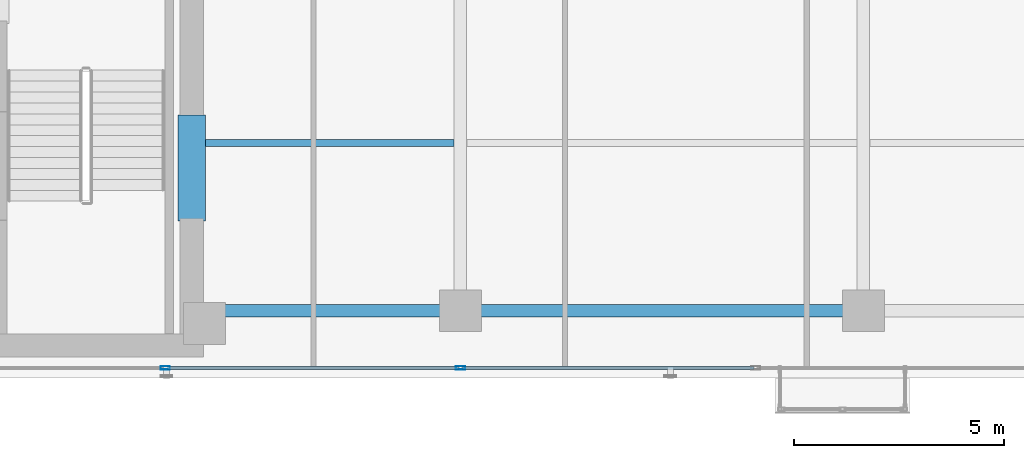
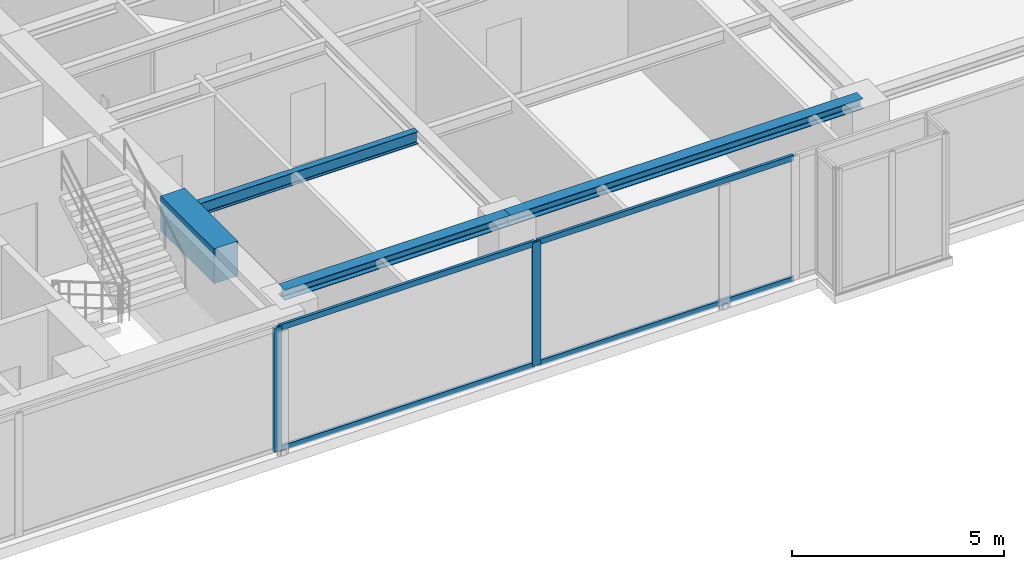
# One storey, part 4 of 25: 6 members, 4 beams, 1 element without a shape of its own.
"""IFC4 building model written with IfcOpenShell, lengths in metres."""

from ifc_helpers import new_model, si_unit, direction, frame, origin, origin_with_axes, origin_2d, place, context, subcontext, project, spatial, rectangle, hollow_rectangle, i_section, extrude, source, transform, mapped, material, layer, layer_set, material_profile, profile_set, type_object, element, aggregate, save


model = new_model("IFC4")

# Units and contexts
model_context = context("Model", 3, precision=1e-05, world=origin(), true_north=direction((0.0, 1.0)))
body_context = subcontext(model_context, "Body", "Model", "MODEL_VIEW")
ifc_project = project(units=[si_unit("LENGTHUNIT", "METRE"), si_unit("AREAUNIT", "SQUARE_METRE"), si_unit("VOLUMEUNIT", "CUBIC_METRE"), si_unit("PLANEANGLEUNIT", "RADIAN"), si_unit("MASSUNIT", "GRAM", prefix="KILO")], contexts=[model_context])

# Site, building, storey
site_placement = place(None, origin())
site = spatial("IfcSite", under=ifc_project, at=site_placement, CompositionType="ELEMENT")
building_placement = place(site_placement, origin())
building = spatial("IfcBuilding", under=site, at=building_placement, Name="Kolvaren Waterfront Exchange", CompositionType="ELEMENT")
storey_placement = place(building_placement, frame((0.0, 0.0, 223.5)))
storey = spatial("IfcBuildingStorey", under=building, at=storey_placement, Name="L57", CompositionType="ELEMENT", Elevation=223.5)

# Beams
ifc_material_1 = material(Name="Steel S355", Category="steel")
ifc_material_profile_1 = material_profile(ifc_material_1, i_section(OverallWidth=0.300048828125, OverallDepth=0.300048828125, WebThickness=0.010986328125, FlangeThickness=0.01904296875, FilletRadius=0.027099609375, at=origin_2d()), Name="HEB300")
ifc_profile_set_1 = profile_set([ifc_material_profile_1], Name="Steel S355")
beam_type_1 = type_object("IfcBeamType", Name="STR-BM-HEB300", PredefinedType="SPANDREL", material=ifc_profile_set_1)
beam_1_placement = place(storey_placement, frame((21.074951171875, 5.199951171875, 3.409912109375), z_axis=(1.0, 0.0, 0.0), x_axis=(0.0, 1.0, 0.0)))
element("IfcBeam", 1, at=beam_1_placement, inside=storey, type_object=beam_type_1, Name="L57 east-arm spandrel S1", PredefinedType="SPANDREL", context=body_context, shape_type="SweptSolid", body=[
    extrude(i_section(OverallWidth=0.300048828125, OverallDepth=0.300048828125, WebThickness=0.010986328125, FlangeThickness=0.01904296875, FilletRadius=0.027099609375, at=origin_2d()), origin(), (0.0, 0.0, 1.0), 6.125),
])
beam_2_placement = place(storey_placement, frame((27.199951171875, 5.199951171875, 3.409912109375), z_axis=(1.0, 0.0, 0.0), x_axis=(0.0, 1.0, 0.0)))
element("IfcBeam", 2, at=beam_2_placement, inside=storey, type_object=beam_type_1, Name="L57 east-arm spandrel S2", PredefinedType="SPANDREL", context=body_context, shape_type="SweptSolid", body=[
    extrude(i_section(OverallWidth=0.300048828125, OverallDepth=0.300048828125, WebThickness=0.010986328125, FlangeThickness=0.01904296875, FilletRadius=0.027099609375, at=origin_2d()), origin(), (0.0, 0.0, 1.0), 9.60009765625),
])
ifc_material_profile_2 = material_profile(ifc_material_1, i_section(OverallWidth=0.169921875, OverallDepth=0.360107421875, WebThickness=0.008056640625, FlangeThickness=0.0126953125, FilletRadius=0.01806640625, at=origin_2d()), Name="IPE360")
ifc_profile_set_2 = profile_set([ifc_material_profile_2], Name="Steel S355")
beam_type_2 = type_object("IfcBeamType", Name="STR-BM-IPE360", PredefinedType="JOIST", material=ifc_profile_set_2)
beam_3_placement = place(storey_placement, frame((21.10009765625, 9.199951171875, 3.3798828125), z_axis=(1.0, 0.0, 0.0), x_axis=(0.0, 1.0, 0.0)))
element("IfcBeam", 3, at=beam_3_placement, inside=storey, type_object=beam_type_2, Name="L57 east-arm composite joist 1B", PredefinedType="JOIST", context=body_context, shape_type="SweptSolid", body=[
    extrude(i_section(OverallWidth=0.169921875, OverallDepth=0.360107421875, WebThickness=0.008056640625, FlangeThickness=0.0126953125, FilletRadius=0.01806640625, at=origin_2d()), origin(), (0.0, 0.0, 1.0), 5.947998046875),
])
ifc_material_2 = material(Name="Concrete C60/75", Category="concrete")
ifc_material_profile_3 = material_profile(ifc_material_2, rectangle(XDim=0.64990234375, YDim=1.0, at=origin_2d()), Name="RC-CB-1000x650")
ifc_profile_set_3 = profile_set([ifc_material_profile_3], Name="Concrete C60/75")
beam_type_3 = type_object("IfcBeamType", Name="STR-CB-1000", PredefinedType="SPANDREL", material=ifc_profile_set_3)
beam_4_placement = place(storey_placement, frame((20.800048828125, 7.340087890625, 3.06005859375), z_axis=(0.0, 1.0, 0.0), x_axis=(-1.0, 0.0, 0.0)))
element("IfcBeam", 4, at=beam_4_placement, inside=storey, type_object=beam_type_3, Name="L57 core coupling beam 1", PredefinedType="SPANDREL", context=body_context, shape_type="SweptSolid", body=[
    extrude(rectangle(XDim=0.64990234375, YDim=1.0, at=origin_2d()), origin(), (0.0, 0.0, 1.0), 2.52001953125),
])

# Curtain wall, members
ifc_material_3 = material(Name="Anodised bronze aluminium 6063-T6", Category="aluminium")
ifc_layer = layer(ifc_material_3, 0.219970703125, Name="Anodised bronze aluminium 6063-T6")
ifc_layer_set = layer_set([ifc_layer], Name="Anodised bronze aluminium 6063-T6")
curtain_wall_type = type_object("IfcCurtainWallType", Name="ARC-CW-SYS4", PredefinedType="USERDEFINED", material=ifc_layer_set)
curtain_wall_placement = place(storey_placement, origin())
curtain_wall = element("IfcCurtainWall", 5, at=curtain_wall_placement, inside=storey, type_object=curtain_wall_type, Name="L57 stick curtain wall CW4 (CW-L57-S)", ObjectType="STICK CURTAIN WALL", PredefinedType="USERDEFINED")
ifc_material_4 = material(Name="Anodised aluminium 6063-T6", Category="aluminium")
ifc_material_profile_4 = material_profile(ifc_material_4, hollow_rectangle(XDim=0.080078125, YDim=0.219970703125, WallThickness=0.0048828125, at=origin_2d()), Name="ALU-MUL-220x80x5")
ifc_profile_set_4 = profile_set([ifc_material_profile_4], Name="Anodised aluminium 6063-T6")
member_type_1 = type_object("IfcMemberType", Name="ARC-CWM-220", PredefinedType="MULLION", material=ifc_profile_set_4)
shared_shape_1 = source(origin_with_axes(), body_context, "Body", "SweptSolid", [
    extrude(hollow_rectangle(XDim=0.080078125, YDim=0.219970703125, WallThickness=0.0048828125, at=origin_2d()), origin(), (0.0, 0.0, 1.0), 3.56005859375),
])
member_1_placement = place(storey_placement, frame((20.166748046875, 3.840087890625, 0.0), z_axis=(0.0, 0.0, 1.0), x_axis=(0.0, 1.0, 0.0)))
member_1 = element("IfcMember", 6, at=member_1_placement, type_object=member_type_1, Name="CW4 mullion 3", PredefinedType="MULLION", context=body_context, shape_type="MappedRepresentation", body=[
    mapped(shared_shape_1, transform((0.0, 0.0, 0.0), x_axis=(1.0, 0.0, 0.0), y_axis=(0.0, 1.0, 0.0), z_axis=(0.0, 0.0, 1.0), scale=1.0)),
])
member_2_placement = place(storey_placement, frame((27.199951171875, 3.840087890625, 0.0), z_axis=(0.0, 0.0, 1.0), x_axis=(0.0, 1.0, 0.0)))
member_2 = element("IfcMember", 7, at=member_2_placement, type_object=member_type_1, Name="CW4 mullion 4", PredefinedType="MULLION", context=body_context, shape_type="MappedRepresentation", body=[
    mapped(shared_shape_1, transform((0.0, 0.0, 0.0), x_axis=(1.0, 0.0, 0.0), y_axis=(0.0, 1.0, 0.0), z_axis=(0.0, 0.0, 1.0), scale=1.0)),
])
ifc_material_profile_5 = material_profile(ifc_material_4, hollow_rectangle(XDim=0.074951171875, YDim=0.159912109375, WallThickness=0.00439453125, at=origin_2d()), Name="ALU-TRN-160x75x4.5")
ifc_profile_set_5 = profile_set([ifc_material_profile_5], Name="Anodised aluminium 6063-T6")
member_type_2 = type_object("IfcMemberType", Name="ARC-CWT-160", PredefinedType="USERDEFINED", material=ifc_profile_set_5)
shared_shape_2 = source(origin_with_axes(), body_context, "Body", "SweptSolid", [
    extrude(hollow_rectangle(XDim=0.074951171875, YDim=0.159912109375, WallThickness=0.00439453125, at=origin_2d()), origin(), (0.0, 0.0, 1.0), 6.953369140625),
])
member_3_placement = place(storey_placement, frame((27.239990234375, 3.840087890625, 0.03759765625), z_axis=(1.0, 0.0, 0.0), x_axis=(0.0, 1.0, 0.0)))
member_3 = element("IfcMember", 8, at=member_3_placement, type_object=member_type_2, Name="CW4 transom 4.1", ObjectType="TRANSOM", PredefinedType="USERDEFINED", context=body_context, shape_type="MappedRepresentation", body=[
    mapped(shared_shape_2, transform((0.0, 0.0, 0.0), x_axis=(1.0, 0.0, 0.0), y_axis=(0.0, 1.0, 0.0), z_axis=(0.0, 0.0, 1.0), scale=1.0)),
])
member_4_placement = place(storey_placement, frame((27.239990234375, 3.840087890625, 3.5224609375), z_axis=(1.0, 0.0, 0.0), x_axis=(0.0, 1.0, 0.0)))
member_4 = element("IfcMember", 9, at=member_4_placement, type_object=member_type_2, Name="CW4 transom 4.2", ObjectType="TRANSOM", PredefinedType="USERDEFINED", context=body_context, shape_type="MappedRepresentation", body=[
    mapped(shared_shape_2, transform((0.0, 0.0, 0.0), x_axis=(1.0, 0.0, 0.0), y_axis=(0.0, 1.0, 0.0), z_axis=(0.0, 0.0, 1.0), scale=1.0)),
])
shared_shape_3 = source(origin_with_axes(), body_context, "Body", "SweptSolid", [
    extrude(hollow_rectangle(XDim=0.074951171875, YDim=0.159912109375, WallThickness=0.00439453125, at=origin_2d()), origin(), (0.0, 0.0, 1.0), 6.953125),
])
member_5_placement = place(storey_placement, frame((20.206787109375, 3.840087890625, 0.03759765625), z_axis=(1.0, 0.0, 0.0), x_axis=(0.0, 1.0, 0.0)))
member_5 = element("IfcMember", 10, at=member_5_placement, type_object=member_type_2, Name="CW4 transom 3.1", ObjectType="TRANSOM", PredefinedType="USERDEFINED", context=body_context, shape_type="MappedRepresentation", body=[
    mapped(shared_shape_3, transform((0.0, 0.0, 0.0), x_axis=(1.0, 0.0, 0.0), y_axis=(0.0, 1.0, 0.0), z_axis=(0.0, 0.0, 1.0), scale=1.0)),
])
member_6_placement = place(storey_placement, frame((20.206787109375, 3.840087890625, 3.5224609375), z_axis=(1.0, 0.0, 0.0), x_axis=(0.0, 1.0, 0.0)))
member_6 = element("IfcMember", 11, at=member_6_placement, type_object=member_type_2, Name="CW4 transom 3.2", ObjectType="TRANSOM", PredefinedType="USERDEFINED", context=body_context, shape_type="MappedRepresentation", body=[
    mapped(shared_shape_3, transform((0.0, 0.0, 0.0), x_axis=(1.0, 0.0, 0.0), y_axis=(0.0, 1.0, 0.0), z_axis=(0.0, 0.0, 1.0), scale=1.0)),
])
aggregate(curtain_wall, [member_1, member_2, member_5, member_6, member_3, member_4])

save(model, "model.ifc")
